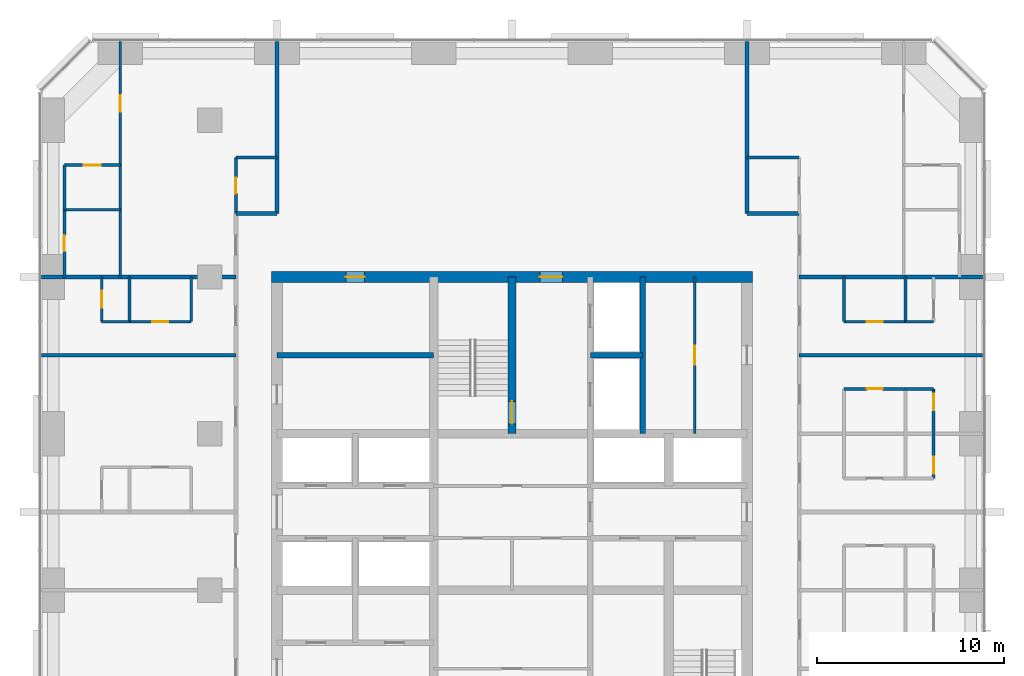
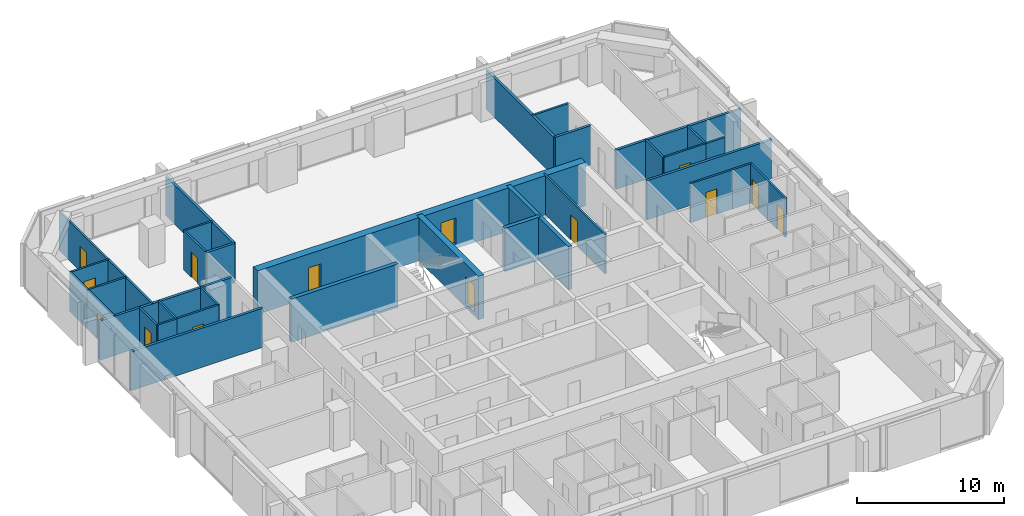
# One storey, part 12 of 14: 34 walls, 14 doors, 14 openings.
"""IFC4 building model written with IfcOpenShell, lengths in metres."""

from ifc_helpers import new_model, si_unit, direction, frame, frame_2d, origin, place, context, subcontext, project, spatial, rectangle, extrude, material, layer, layer_set, type_object, element, fill, save


model = new_model("IFC4")

# Units and contexts
model_context = context("Model", 3, precision=1e-05, world=origin(), true_north=direction((0.0, 1.0)))
body_context = subcontext(model_context, "Body", "Model", "MODEL_VIEW")
ifc_project = project(units=[si_unit("LENGTHUNIT", "METRE"), si_unit("AREAUNIT", "SQUARE_METRE"), si_unit("VOLUMEUNIT", "CUBIC_METRE"), si_unit("PLANEANGLEUNIT", "RADIAN"), si_unit("MASSUNIT", "GRAM", prefix="KILO")], contexts=[model_context])

# Site, building, storey
site_placement = place(None, origin())
site = spatial("IfcSite", under=ifc_project, at=site_placement, CompositionType="ELEMENT")
building_placement = place(site_placement, origin())
building = spatial("IfcBuilding", under=site, at=building_placement, Name="Dunama Terrace Hotel", CompositionType="ELEMENT")
storey_placement = place(building_placement, frame((0.0, 0.0, 184.199951171875)))
storey = spatial("IfcBuildingStorey", under=building, at=storey_placement, Name="L47", CompositionType="ELEMENT", Elevation=184.199951171875)

# Wall, opening, door
ifc_material_1 = material(Name="Gypsum board partition", Category="masonry")
ifc_layer_1 = layer(ifc_material_1, 0.14990234375)
ifc_layer_set_1 = layer_set([ifc_layer_1], Name="Bathroom partition 150")
wall_type_1 = type_object("IfcWallType", Name="Bathroom partition 150", PredefinedType="PARTITIONING", material=ifc_layer_set_1)
wall_1_placement = place(storey_placement, frame((5.39990234375, 42.0, 0.0), z_axis=(0.0, 0.0, 1.0), x_axis=(0.0, 1.0, 0.0)))
wall_1 = element("IfcWall", 1, at=wall_1_placement, inside=storey, type_object=wall_type_1, Name="Bathroom partition 150 L47", PredefinedType="PARTITIONING", context=body_context, shape_type="SweptSolid", body=[
    extrude(rectangle(XDim=3.60009765625, YDim=0.14990234375, at=frame_2d((1.800048828125, 0.0))), origin(), (0.0, 0.0, 1.0), 3.25),
])
opening_1_placement = place(wall_1_placement, frame((1.375, 0.0, 0.0)))
opening_1 = element("IfcOpeningElement", 2, at=opening_1_placement, cuts=wall_1, Name="Opening L46-47-070", PredefinedType="OPENING", context=body_context, shape_type="SweptSolid", body=[
    extrude(rectangle(XDim=0.85009765625, YDim=2.10009765625, at=frame_2d((0.425048828125, 1.050048828125))), frame((0.0, 0.0849609375, 0.0), z_axis=(0.0, -1.0, 0.0), x_axis=(1.0, 0.0, 0.0)), (0.0, 0.0, 1.0), 0.169921875),
])
ifc_material_2 = material(Name="Timber door with steel frame", Category="steel")
door_type_1 = type_object("IfcDoorType", Name="Bathroom door 850", OperationType="SINGLE_SWING_LEFT", PredefinedType="DOOR", material=ifc_material_2)
door_1_placement = place(opening_1_placement, frame((0.85009765625, 0.0, 0.0), z_axis=(0.0, 0.0, 1.0), x_axis=(-1.0, 0.0, 0.0)))
door_1 = element("IfcDoor", 3, at=door_1_placement, inside=storey, type_object=door_type_1, Name="Door to en-suite bathroom L46-47-070, type D2", OperationType="SINGLE_SWING_RIGHT", OverallHeight=2.10009765625, OverallWidth=0.85009765625, PredefinedType="DOOR", context=body_context, shape_type="SweptSolid", body=[
    extrude(rectangle(XDim=0.85009765625, YDim=2.10009765625, at=frame_2d((0.425048828125, 1.050048828125))), frame((0.0, 0.025146484375, 0.0), z_axis=(0.0, -1.0, 0.0), x_axis=(1.0, 0.0, 0.0)), (0.0, 0.0, 1.0), 0.050048828125),
])
fill(opening_1, door_1)

# Wall
wall_2_placement = place(storey_placement, frame((12.199951171875, 39.60009765625, 0.0), z_axis=(0.0, 0.0, 1.0), x_axis=(0.0, 1.0, 0.0)))
element("IfcWall", 4, at=wall_2_placement, inside=storey, type_object=wall_type_1, Name="Bathroom partition 150 L47", PredefinedType="PARTITIONING", context=body_context, shape_type="SweptSolid", body=[
    extrude(rectangle(XDim=2.39990234375, YDim=0.14990234375, at=frame_2d((1.199951171875, 0.0))), origin(), (0.0, 0.0, 1.0), 3.25),
])

# Wall, opening, door
wall_3_placement = place(storey_placement, frame((14.60009765625, 45.39990234375, 0.0), z_axis=(0.0, 0.0, 1.0), x_axis=(0.0, 1.0, 0.0)))
wall_3 = element("IfcWall", 5, at=wall_3_placement, inside=storey, type_object=wall_type_1, Name="Bathroom partition 150 L47", PredefinedType="PARTITIONING", context=body_context, shape_type="SweptSolid", body=[
    extrude(rectangle(XDim=3.0, YDim=0.14990234375, at=frame_2d((1.5, 0.0))), origin(), (0.0, 0.0, 1.0), 3.25),
])
opening_2_placement = place(wall_3_placement, frame((1.074951171875, 0.0, 0.0)))
opening_2 = element("IfcOpeningElement", 6, at=opening_2_placement, cuts=wall_3, Name="Opening L46-47-068", PredefinedType="OPENING", context=body_context, shape_type="SweptSolid", body=[
    extrude(rectangle(XDim=0.85009765625, YDim=2.10009765625, at=frame_2d((0.425048828125, 1.050048828125))), frame((0.0, 0.0849609375, 0.0), z_axis=(0.0, -1.0, 0.0), x_axis=(1.0, 0.0, 0.0)), (0.0, 0.0, 1.0), 0.169921875),
])
door_2_placement = place(opening_2_placement, frame((0.85009765625, 0.0, 0.0), z_axis=(0.0, 0.0, 1.0), x_axis=(-1.0, 0.0, 0.0)))
door_2 = element("IfcDoor", 7, at=door_2_placement, inside=storey, type_object=door_type_1, Name="Door to powder room L46-47-068, type D2", OperationType="SINGLE_SWING_RIGHT", OverallHeight=2.10009765625, OverallWidth=0.85009765625, PredefinedType="DOOR", context=body_context, shape_type="SweptSolid", body=[
    extrude(rectangle(XDim=0.85009765625, YDim=2.10009765625, at=frame_2d((0.425048828125, 1.050048828125))), frame((0.0, 0.025146484375, 0.0), z_axis=(0.0, -1.0, 0.0), x_axis=(1.0, 0.0, 0.0)), (0.0, 0.0, 1.0), 0.050048828125),
])
fill(opening_2, door_2)

# Wall
wall_4_placement = place(storey_placement, frame((47.199951171875, 39.60009765625, 0.0), z_axis=(0.0, 0.0, 1.0), x_axis=(0.0, 1.0, 0.0)))
element("IfcWall", 8, at=wall_4_placement, inside=storey, type_object=wall_type_1, Name="Bathroom partition 150 L47", PredefinedType="PARTITIONING", context=body_context, shape_type="SweptSolid", body=[
    extrude(rectangle(XDim=2.39990234375, YDim=0.14990234375, at=frame_2d((1.199951171875, 0.0))), origin(), (0.0, 0.0, 1.0), 3.25),
])

# Wall, opening, door
wall_5_placement = place(storey_placement, frame((47.199951171875, 36.0, 0.0), z_axis=(0.0, 0.0, 1.0), x_axis=(1.0, 0.0, 0.0)))
wall_5 = element("IfcWall", 9, at=wall_5_placement, inside=storey, type_object=wall_type_1, Name="Bathroom partition 150 L47", PredefinedType="PARTITIONING", context=body_context, shape_type="SweptSolid", body=[
    extrude(rectangle(XDim=3.300048828125, YDim=0.14990234375, at=frame_2d((1.64990234375, 0.0))), origin(), (0.0, 0.0, 1.0), 3.25),
])
opening_3_placement = place(wall_5_placement, frame((1.22509765625, 0.0, 0.0)))
opening_3 = element("IfcOpeningElement", 10, at=opening_3_placement, cuts=wall_5, Name="Opening L46-47-037", PredefinedType="OPENING", context=body_context, shape_type="SweptSolid", body=[
    extrude(rectangle(XDim=0.85009765625, YDim=2.10009765625, at=frame_2d((0.425048828125, 1.050048828125))), frame((0.0, 0.0849609375, 0.0), z_axis=(0.0, -1.0, 0.0), x_axis=(1.0, 0.0, 0.0)), (0.0, 0.0, 1.0), 0.169921875),
])
door_3_placement = place(opening_3_placement, frame((0.85009765625, 0.0, 0.0), z_axis=(0.0, 0.0, 1.0), x_axis=(-1.0, 0.0, 0.0)))
door_3 = element("IfcDoor", 11, at=door_3_placement, inside=storey, type_object=door_type_1, Name="Door to en-suite bathroom L46-47-037, type D2", OperationType="SINGLE_SWING_LEFT", OverallHeight=2.10009765625, OverallWidth=0.85009765625, PredefinedType="DOOR", context=body_context, shape_type="SweptSolid", body=[
    extrude(rectangle(XDim=0.85009765625, YDim=2.10009765625, at=frame_2d((0.425048828125, 1.050048828125))), frame((0.0, 0.025146484375, 0.0), z_axis=(0.0, -1.0, 0.0), x_axis=(1.0, 0.0, 0.0)), (0.0, 0.0, 1.0), 0.050048828125),
])
fill(opening_3, door_3)

wall_6_placement = place(storey_placement, frame((8.89990234375, 39.60009765625, 0.0), z_axis=(0.0, 0.0, 1.0), x_axis=(1.0, 0.0, 0.0)))
wall_6 = element("IfcWall", 12, at=wall_6_placement, inside=storey, type_object=wall_type_1, Name="Bathroom partition 150 L47", PredefinedType="PARTITIONING", context=body_context, shape_type="SweptSolid", body=[
    extrude(rectangle(XDim=3.300048828125, YDim=0.14990234375, at=frame_2d((1.64990234375, 0.0))), origin(), (0.0, 0.0, 1.0), 3.25),
])
opening_4_placement = place(wall_6_placement, frame((1.22509765625, 0.0, 0.0)))
opening_4 = element("IfcOpeningElement", 13, at=opening_4_placement, cuts=wall_6, Name="Opening L46-47-050", PredefinedType="OPENING", context=body_context, shape_type="SweptSolid", body=[
    extrude(rectangle(XDim=0.85009765625, YDim=2.10009765625, at=frame_2d((0.425048828125, 1.050048828125))), frame((0.0, 0.0849609375, 0.0), z_axis=(0.0, -1.0, 0.0), x_axis=(1.0, 0.0, 0.0)), (0.0, 0.0, 1.0), 0.169921875),
])
door_4_placement = place(opening_4_placement, origin())
door_4 = element("IfcDoor", 14, at=door_4_placement, inside=storey, type_object=door_type_1, Name="Door to en-suite bathroom L46-47-050, type D2", OperationType="SINGLE_SWING_LEFT", OverallHeight=2.10009765625, OverallWidth=0.85009765625, PredefinedType="DOOR", context=body_context, shape_type="SweptSolid", body=[
    extrude(rectangle(XDim=0.85009765625, YDim=2.10009765625, at=frame_2d((0.425048828125, 1.050048828125))), frame((0.0, 0.02490234375, 0.0), z_axis=(0.0, -1.0, 0.0), x_axis=(1.0, 0.0, 0.0)), (0.0, 0.0, 1.0), 0.050048828125),
])
fill(opening_4, door_4)

wall_7_placement = place(storey_placement, frame((47.199951171875, 39.60009765625, 0.0), z_axis=(0.0, 0.0, 1.0), x_axis=(1.0, 0.0, 0.0)))
wall_7 = element("IfcWall", 15, at=wall_7_placement, inside=storey, type_object=wall_type_1, Name="Bathroom partition 150 L47", PredefinedType="PARTITIONING", context=body_context, shape_type="SweptSolid", body=[
    extrude(rectangle(XDim=3.300048828125, YDim=0.14990234375, at=frame_2d((1.64990234375, 0.0))), origin(), (0.0, 0.0, 1.0), 3.25),
])
opening_5_placement = place(wall_7_placement, frame((1.22509765625, 0.0, 0.0)))
opening_5 = element("IfcOpeningElement", 16, at=opening_5_placement, cuts=wall_7, Name="Opening L46-47-040", PredefinedType="OPENING", context=body_context, shape_type="SweptSolid", body=[
    extrude(rectangle(XDim=0.85009765625, YDim=2.10009765625, at=frame_2d((0.425048828125, 1.050048828125))), frame((0.0, 0.0849609375, 0.0), z_axis=(0.0, -1.0, 0.0), x_axis=(1.0, 0.0, 0.0)), (0.0, 0.0, 1.0), 0.169921875),
])
door_5_placement = place(opening_5_placement, origin())
door_5 = element("IfcDoor", 17, at=door_5_placement, inside=storey, type_object=door_type_1, Name="Door to en-suite bathroom L46-47-040, type D2", OperationType="SINGLE_SWING_RIGHT", OverallHeight=2.10009765625, OverallWidth=0.85009765625, PredefinedType="DOOR", context=body_context, shape_type="SweptSolid", body=[
    extrude(rectangle(XDim=0.85009765625, YDim=2.10009765625, at=frame_2d((0.425048828125, 1.050048828125))), frame((0.0, 0.02490234375, 0.0), z_axis=(0.0, -1.0, 0.0), x_axis=(1.0, 0.0, 0.0)), (0.0, 0.0, 1.0), 0.050048828125),
])
fill(opening_5, door_5)

# Walls
wall_8_placement = place(storey_placement, frame((14.60009765625, 48.39990234375, 0.0), z_axis=(0.0, 0.0, 1.0), x_axis=(1.0, 0.0, 0.0)))
element("IfcWall", 18, at=wall_8_placement, inside=storey, type_object=wall_type_1, Name="Bathroom partition 150 L47", PredefinedType="PARTITIONING", context=body_context, shape_type="SweptSolid", body=[
    extrude(rectangle(XDim=2.199951171875, YDim=0.14990234375, at=frame_2d((1.10009765625, 0.0))), origin(), (0.0, 0.0, 1.0), 3.25),
])
wall_9_placement = place(storey_placement, frame((42.0, 48.39990234375, 0.0), z_axis=(0.0, 0.0, 1.0), x_axis=(1.0, 0.0, 0.0)))
element("IfcWall", 19, at=wall_9_placement, inside=storey, type_object=wall_type_1, Name="Bathroom partition 150 L47", PredefinedType="PARTITIONING", context=body_context, shape_type="SweptSolid", body=[
    extrude(rectangle(XDim=2.800048828125, YDim=0.14990234375, at=frame_2d((1.39990234375, 0.0))), origin(), (0.0, 0.0, 1.0), 3.25),
])
ifc_material_3 = material(Name="Concrete C50/60", Category="concrete")
ifc_layer_2 = layer(ifc_material_3, 0.300048828125)
ifc_layer_set_2 = layer_set([ifc_layer_2], Name="Core inner wall 300")
wall_type_2 = type_object("IfcWallType", Name="Core inner wall 300", PredefinedType="SHEAR", material=ifc_layer_set_2)
for number, where, z_axis, x_axis, name in (
    (20, (36.39990234375, 33.60009765625, -0.349853515625), (0.0, 0.0, 1.0), (0.0, 1.0, 0.0), "Core inner wall 300 L47"),
    (21, (16.800048828125, 37.800048828125, -0.349853515625), (0.0, 0.0, 1.0), (1.0, 0.0, 0.0), "Core inner wall 300 L47"),
):
    element("IfcWall", number, at=place(storey_placement, frame(where, z_axis=z_axis, x_axis=x_axis)), inside=storey, type_object=wall_type_2, Name=name, PredefinedType="SHEAR", context=body_context, shape_type="SweptSolid", body=[
        extrude(rectangle(XDim=8.39990234375, YDim=0.300048828125, at=frame_2d((4.199951171875, 0.0))), origin(), (0.0, 0.0, 1.0), 3.599853515625),
    ])
wall_10_placement = place(storey_placement, frame((33.60009765625, 37.800048828125, -0.349853515625), z_axis=(0.0, 0.0, 1.0), x_axis=(1.0, 0.0, 0.0)))
element("IfcWall", 22, at=wall_10_placement, inside=storey, type_object=wall_type_2, Name="Core inner wall 300 L47", PredefinedType="SHEAR", context=body_context, shape_type="SweptSolid", body=[
    extrude(rectangle(XDim=2.7998046875, YDim=0.300048828125, at=frame_2d((1.39990234375, 0.0))), origin(), (0.0, 0.0, 1.0), 3.599853515625),
])

# Wall, opening, door
ifc_material_4 = material(Name="Concrete C50/60", Category="concrete")
ifc_layer_3 = layer(ifc_material_4, 0.449951171875)
ifc_layer_set_3 = layer_set([ifc_layer_3], Name="Core inner wall 450")
wall_type_3 = type_object("IfcWallType", Name="Core inner wall 450", PredefinedType="SHEAR", material=ifc_layer_set_3)
wall_11_placement = place(storey_placement, frame((29.39990234375, 33.60009765625, -0.349853515625), z_axis=(0.0, 0.0, 1.0), x_axis=(0.0, 1.0, 0.0)))
wall_11 = element("IfcWall", 23, at=wall_11_placement, inside=storey, type_object=wall_type_3, Name="Core inner wall 450 L47", PredefinedType="SHEAR", context=body_context, shape_type="SweptSolid", body=[
    extrude(rectangle(XDim=8.39990234375, YDim=0.449951171875, at=frame_2d((4.199951171875, 0.0))), origin(), (0.0, 0.0, 1.0), 3.599853515625),
])
opening_6_placement = place(wall_11_placement, frame((0.52490234375, 0.0, 0.35009765625)))
opening_6 = element("IfcOpeningElement", 24, at=opening_6_placement, cuts=wall_11, Name="Opening L46-47-001", PredefinedType="OPENING", context=body_context, shape_type="SweptSolid", body=[
    extrude(rectangle(XDim=1.199951171875, YDim=2.199951171875, at=frame_2d((0.60009765625, 1.10009765625))), frame((0.0, 0.23486328125, 0.0), z_axis=(0.0, -1.0, 0.0), x_axis=(1.0, 0.0, 0.0)), (0.0, 0.0, 1.0), 0.469970703125),
])
ifc_material_5 = material(Name="Timber door with steel frame", Category="steel")
door_type_2 = type_object("IfcDoorType", Name="Stair door 1200", OperationType="SINGLE_SWING_LEFT", PredefinedType="DOOR", material=ifc_material_5)
door_6_placement = place(opening_6_placement, origin())
door_6 = element("IfcDoor", 25, at=door_6_placement, inside=storey, type_object=door_type_2, Name="Stair door ST1 L46-47-001, type D5", OperationType="SINGLE_SWING_LEFT", OverallHeight=2.199951171875, OverallWidth=1.199951171875, PredefinedType="DOOR", context=body_context, shape_type="SweptSolid", body=[
    extrude(rectangle(XDim=1.199951171875, YDim=2.199951171875, at=frame_2d((0.60009765625, 1.10009765625))), frame((0.0, 0.02490234375, 0.0), z_axis=(0.0, -1.0, 0.0), x_axis=(1.0, 0.0, 0.0)), (0.0, 0.0, 1.0), 0.050048828125),
])
fill(opening_6, door_6)

# Wall, openings, doors
ifc_material_6 = material(Name="Concrete C50/60", Category="concrete")
ifc_layer_4 = layer(ifc_material_6, 0.60009765625)
ifc_layer_set_4 = layer_set([ifc_layer_4], Name="Core wall 600")
wall_type_4 = type_object("IfcWallType", Name="Core wall 600", PredefinedType="SHEAR", material=ifc_layer_set_4)
wall_12_placement = place(storey_placement, frame((42.300048828125, 42.0, -0.349853515625), z_axis=(0.0, 0.0, 1.0), x_axis=(-1.0, 0.0, 0.0)))
wall_12 = element("IfcWall", 26, at=wall_12_placement, inside=storey, type_object=wall_type_4, Name="Core wall north L47", PredefinedType="SHEAR", context=body_context, shape_type="SweptSolid", body=[
    extrude(rectangle(XDim=25.800048828125, YDim=0.60009765625, at=frame_2d((12.89990234375, 0.0))), origin(), (0.0, 0.0, 1.0), 3.599853515625),
])
opening_7_placement = place(wall_12_placement, frame((20.800048828125, 0.0, 0.35009765625)))
opening_7 = element("IfcOpeningElement", 27, at=opening_7_placement, cuts=wall_12, Name="Opening L46-47-079", PredefinedType="OPENING", context=body_context, shape_type="SweptSolid", body=[
    extrude(rectangle(XDim=1.0, YDim=2.10009765625, at=frame_2d((0.5, 1.050048828125))), frame((0.0, 0.31005859375, 0.0), z_axis=(0.0, -1.0, 0.0), x_axis=(1.0, 0.0, 0.0)), (0.0, 0.0, 1.0), 0.6201171875),
])
opening_8_placement = place(wall_12_placement, frame((10.199951171875, 0.0, 0.35009765625)))
opening_8 = element("IfcOpeningElement", 28, at=opening_8_placement, cuts=wall_12, Name="Opening L46-47-087", PredefinedType="OPENING", context=body_context, shape_type="SweptSolid", body=[
    extrude(rectangle(XDim=1.199951171875, YDim=2.199951171875, at=frame_2d((0.60009765625, 1.10009765625))), frame((0.0, 0.31005859375, 0.0), z_axis=(0.0, -1.0, 0.0), x_axis=(1.0, 0.0, 0.0)), (0.0, 0.0, 1.0), 0.6201171875),
])
ifc_material_7 = material(Name="Timber door with steel frame", Category="steel")
door_type_3 = type_object("IfcDoorType", Name="Firefighting lobby door 1200", OperationType="SINGLE_SWING_LEFT", PredefinedType="DOOR", material=ifc_material_7)
door_7_placement = place(opening_8_placement, origin())
door_7 = element("IfcDoor", 29, at=door_7_placement, inside=storey, type_object=door_type_3, Name="Door to firefighting lobby L46-47-087, type D4", OperationType="SINGLE_SWING_RIGHT", OverallHeight=2.199951171875, OverallWidth=1.199951171875, PredefinedType="DOOR", context=body_context, shape_type="SweptSolid", body=[
    extrude(rectangle(XDim=1.199951171875, YDim=2.199951171875, at=frame_2d((0.60009765625, 1.10009765625))), frame((0.0, 0.02490234375, 0.0), z_axis=(0.0, -1.0, 0.0), x_axis=(1.0, 0.0, 0.0)), (0.0, 0.0, 1.0), 0.050048828125),
])
fill(opening_8, door_7)
ifc_material_8 = material(Name="Timber door with steel frame", Category="steel")
door_type_4 = type_object("IfcDoorType", Name="Service door 1000", OperationType="SINGLE_SWING_LEFT", PredefinedType="DOOR", material=ifc_material_8)
door_8_placement = place(opening_7_placement, origin())
door_8 = element("IfcDoor", 30, at=door_8_placement, inside=storey, type_object=door_type_4, Name="Door to communications and riser room L46-47-079, type D7", OperationType="SINGLE_SWING_LEFT", OverallHeight=2.10009765625, OverallWidth=1.0, PredefinedType="DOOR", context=body_context, shape_type="SweptSolid", body=[
    extrude(rectangle(XDim=1.0, YDim=2.10009765625, at=frame_2d((0.5, 1.050048828125))), frame((0.0, 0.02490234375, 0.0), z_axis=(0.0, -1.0, 0.0), x_axis=(1.0, 0.0, 0.0)), (0.0, 0.0, 1.0), 0.050048828125),
])
fill(opening_7, door_8)

# Walls
ifc_material_9 = material(Name="Concrete blockwork", Category="masonry")
ifc_layer_5 = layer(ifc_material_9, 0.199951171875)
ifc_layer_set_5 = layer_set([ifc_layer_5], Name="Corridor partition 200")
wall_type_5 = type_object("IfcWallType", Name="Corridor partition 200", PredefinedType="PARTITIONING", material=ifc_layer_set_5)
wall_13_placement = place(storey_placement, frame((16.800048828125, 45.39990234375, 0.0), z_axis=(0.0, 0.0, 1.0), x_axis=(0.0, 1.0, 0.0)))
element("IfcWall", 31, at=wall_13_placement, inside=storey, type_object=wall_type_5, Name="Corridor partition 200 L47", PredefinedType="PARTITIONING", context=body_context, shape_type="SweptSolid", body=[
    extrude(rectangle(XDim=9.218017578125, YDim=0.199951171875, at=frame_2d((4.60888671875, 0.0))), origin(), (0.0, 0.0, 1.0), 3.25),
])
wall_14_placement = place(storey_placement, frame((14.60009765625, 45.39990234375, 0.0), z_axis=(0.0, 0.0, 1.0), x_axis=(1.0, 0.0, 0.0)))
element("IfcWall", 32, at=wall_14_placement, inside=storey, type_object=wall_type_5, Name="Corridor partition 200 L47", PredefinedType="PARTITIONING", context=body_context, shape_type="SweptSolid", body=[
    extrude(rectangle(XDim=2.199951171875, YDim=0.199951171875, at=frame_2d((1.10009765625, 0.0))), origin(), (0.0, 0.0, 1.0), 3.25),
])
wall_15_placement = place(storey_placement, frame((42.0, 45.39990234375, 0.0), z_axis=(0.0, 0.0, 1.0), x_axis=(1.0, 0.0, 0.0)))
element("IfcWall", 33, at=wall_15_placement, inside=storey, type_object=wall_type_5, Name="Corridor partition 200 L47", PredefinedType="PARTITIONING", context=body_context, shape_type="SweptSolid", body=[
    extrude(rectangle(XDim=2.800048828125, YDim=0.199951171875, at=frame_2d((1.39990234375, 0.0))), origin(), (0.0, 0.0, 1.0), 3.25),
])
wall_16_placement = place(storey_placement, frame((42.0, 54.617919921875, 0.0), z_axis=(0.0, 0.0, 1.0), x_axis=(0.0, -1.0, 0.0)))
element("IfcWall", 34, at=wall_16_placement, inside=storey, type_object=wall_type_5, Name="Corridor partition 200 L47", PredefinedType="PARTITIONING", context=body_context, shape_type="SweptSolid", body=[
    extrude(rectangle(XDim=9.218017578125, YDim=0.199951171875, at=frame_2d((4.60888671875, 0.0))), origin(), (0.0, 0.0, 1.0), 3.25),
])
ifc_material_10 = material(Name="Concrete blockwork", Category="masonry")
ifc_layer_6 = layer(ifc_material_10, 0.199951171875)
ifc_layer_set_6 = layer_set([ifc_layer_6], Name="Party wall 200")
wall_type_6 = type_object("IfcWallType", Name="Party wall 200", PredefinedType="PARTITIONING", material=ifc_layer_set_6)
wall_17_placement = place(storey_placement, frame((4.181884765625, 37.800048828125, 0.0), z_axis=(0.0, 0.0, 1.0), x_axis=(1.0, 0.0, 0.0)))
element("IfcWall", 35, at=wall_17_placement, inside=storey, type_object=wall_type_6, Name="Party wall 200 L47", PredefinedType="PARTITIONING", context=body_context, shape_type="SweptSolid", body=[
    extrude(rectangle(XDim=10.418212890625, YDim=0.199951171875, at=frame_2d((5.208984375, 0.0))), origin(), (0.0, 0.0, 1.0), 3.25),
])
wall_18_placement = place(storey_placement, frame((44.800048828125, 37.800048828125, 0.0), z_axis=(0.0, 0.0, 1.0), x_axis=(1.0, 0.0, 0.0)))
element("IfcWall", 36, at=wall_18_placement, inside=storey, type_object=wall_type_6, Name="Party wall 200 L47", PredefinedType="PARTITIONING", context=body_context, shape_type="SweptSolid", body=[
    extrude(rectangle(XDim=9.81787109375, YDim=0.199951171875, at=frame_2d((4.908935546875, 0.0))), origin(), (0.0, 0.0, 1.0), 3.25),
])
wall_19_placement = place(storey_placement, frame((4.181884765625, 42.0, 0.0), z_axis=(0.0, 0.0, 1.0), x_axis=(1.0, 0.0, 0.0)))
element("IfcWall", 37, at=wall_19_placement, inside=storey, type_object=wall_type_6, Name="Party wall 200 L47", PredefinedType="PARTITIONING", context=body_context, shape_type="SweptSolid", body=[
    extrude(rectangle(XDim=10.418212890625, YDim=0.199951171875, at=frame_2d((5.208984375, 0.0))), origin(), (0.0, 0.0, 1.0), 3.25),
])
wall_20_placement = place(storey_placement, frame((44.800048828125, 42.0, 0.0), z_axis=(0.0, 0.0, 1.0), x_axis=(1.0, 0.0, 0.0)))
element("IfcWall", 38, at=wall_20_placement, inside=storey, type_object=wall_type_6, Name="Party wall 200 L47", PredefinedType="PARTITIONING", context=body_context, shape_type="SweptSolid", body=[
    extrude(rectangle(XDim=9.81787109375, YDim=0.199951171875, at=frame_2d((4.908935546875, 0.0))), origin(), (0.0, 0.0, 1.0), 3.25),
])
ifc_material_11 = material(Name="Gypsum board partition", Category="masonry")
ifc_layer_7 = layer(ifc_material_11, 0.14990234375)
ifc_layer_set_7 = layer_set([ifc_layer_7], Name="Room partition 150")
wall_type_7 = type_object("IfcWallType", Name="Room partition 150", PredefinedType="PARTITIONING", material=ifc_layer_set_7)
wall_21_placement = place(storey_placement, frame((5.39990234375, 45.60009765625, 0.0), z_axis=(0.0, 0.0, 1.0), x_axis=(0.0, 1.0, 0.0)))
element("IfcWall", 39, at=wall_21_placement, inside=storey, type_object=wall_type_7, Name="Room partition 150 L47", PredefinedType="PARTITIONING", context=body_context, shape_type="SweptSolid", body=[
    extrude(rectangle(XDim=2.39990234375, YDim=0.14990234375, at=frame_2d((1.199951171875, 0.0))), origin(), (0.0, 0.0, 1.0), 3.25),
])

# Wall, opening, door
wall_22_placement = place(storey_placement, frame((7.39990234375, 39.60009765625, 0.0), z_axis=(0.0, 0.0, 1.0), x_axis=(0.0, 1.0, 0.0)))
wall_22 = element("IfcWall", 40, at=wall_22_placement, inside=storey, type_object=wall_type_7, Name="Room partition 150 L47", PredefinedType="PARTITIONING", context=body_context, shape_type="SweptSolid", body=[
    extrude(rectangle(XDim=2.39990234375, YDim=0.14990234375, at=frame_2d((1.199951171875, 0.0))), origin(), (0.0, 0.0, 1.0), 3.25),
])
opening_9_placement = place(wall_22_placement, frame((0.75, 0.0, 0.0)))
opening_9 = element("IfcOpeningElement", 41, at=opening_9_placement, cuts=wall_22, Name="Opening L46-47-051", PredefinedType="OPENING", context=body_context, shape_type="SweptSolid", body=[
    extrude(rectangle(XDim=0.89990234375, YDim=2.10009765625, at=frame_2d((0.449951171875, 1.050048828125))), frame((0.0, 0.0849609375, 0.0), z_axis=(0.0, -1.0, 0.0), x_axis=(1.0, 0.0, 0.0)), (0.0, 0.0, 1.0), 0.169921875),
])
ifc_material_12 = material(Name="Timber door with steel frame", Category="steel")
door_type_5 = type_object("IfcDoorType", Name="Suite internal door 900", OperationType="SINGLE_SWING_LEFT", PredefinedType="DOOR", material=ifc_material_12)
door_9_placement = place(opening_9_placement, frame((0.89990234375, 0.0, 0.0), z_axis=(0.0, 0.0, 1.0), x_axis=(-1.0, 0.0, 0.0)))
door_9 = element("IfcDoor", 42, at=door_9_placement, inside=storey, type_object=door_type_5, Name="Door to walk-in wardrobe L46-47-051, type D16", OperationType="SINGLE_SWING_RIGHT", OverallHeight=2.10009765625, OverallWidth=0.89990234375, PredefinedType="DOOR", context=body_context, shape_type="SweptSolid", body=[
    extrude(rectangle(XDim=0.89990234375, YDim=2.10009765625, at=frame_2d((0.449951171875, 1.050048828125))), frame((0.0, 0.025146484375, 0.0), z_axis=(0.0, -1.0, 0.0), x_axis=(1.0, 0.0, 0.0)), (0.0, 0.0, 1.0), 0.050048828125),
])
fill(opening_9, door_9)

wall_23_placement = place(storey_placement, frame((8.39990234375, 42.0, 0.0), z_axis=(0.0, 0.0, 1.0), x_axis=(0.0, 1.0, 0.0)))
wall_23 = element("IfcWall", 43, at=wall_23_placement, inside=storey, type_object=wall_type_7, Name="Room partition 150 L47", PredefinedType="PARTITIONING", context=body_context, shape_type="SweptSolid", body=[
    extrude(rectangle(XDim=12.617919921875, YDim=0.14990234375, at=frame_2d((6.30908203125, 0.0))), origin(), (0.0, 0.0, 1.0), 3.25),
])
opening_10_placement = place(wall_23_placement, frame((8.85009765625, 0.0, 0.0)))
opening_10 = element("IfcOpeningElement", 44, at=opening_10_placement, cuts=wall_23, Name="Opening L46-47-069", PredefinedType="OPENING", context=body_context, shape_type="SweptSolid", body=[
    extrude(rectangle(XDim=0.89990234375, YDim=2.10009765625, at=frame_2d((0.449951171875, 1.050048828125))), frame((0.0, 0.0849609375, 0.0), z_axis=(0.0, -1.0, 0.0), x_axis=(1.0, 0.0, 0.0)), (0.0, 0.0, 1.0), 0.169921875),
])
door_10_placement = place(opening_10_placement, origin())
door_10 = element("IfcDoor", 45, at=door_10_placement, inside=storey, type_object=door_type_5, Name="Door to corner suite bedroom L46-47-069, type D16", OperationType="SINGLE_SWING_RIGHT", OverallHeight=2.10009765625, OverallWidth=0.89990234375, PredefinedType="DOOR", context=body_context, shape_type="SweptSolid", body=[
    extrude(rectangle(XDim=0.89990234375, YDim=2.10009765625, at=frame_2d((0.449951171875, 1.050048828125))), frame((0.0, 0.02490234375, 0.0), z_axis=(0.0, -1.0, 0.0), x_axis=(1.0, 0.0, 0.0)), (0.0, 0.0, 1.0), 0.050048828125),
])
fill(opening_10, door_10)

# Wall
wall_24_placement = place(storey_placement, frame((8.89990234375, 39.60009765625, 0.0), z_axis=(0.0, 0.0, 1.0), x_axis=(0.0, 1.0, 0.0)))
element("IfcWall", 46, at=wall_24_placement, inside=storey, type_object=wall_type_7, Name="Room partition 150 L47", PredefinedType="PARTITIONING", context=body_context, shape_type="SweptSolid", body=[
    extrude(rectangle(XDim=2.39990234375, YDim=0.14990234375, at=frame_2d((1.199951171875, 0.0))), origin(), (0.0, 0.0, 1.0), 3.25),
])

# Wall, opening, door
wall_25_placement = place(storey_placement, frame((39.199951171875, 33.60009765625, 0.0), z_axis=(0.0, 0.0, 1.0), x_axis=(0.0, 1.0, 0.0)))
wall_25 = element("IfcWall", 47, at=wall_25_placement, inside=storey, type_object=wall_type_7, Name="Room partition 150 L47", PredefinedType="PARTITIONING", context=body_context, shape_type="SweptSolid", body=[
    extrude(rectangle(XDim=8.39990234375, YDim=0.14990234375, at=frame_2d((4.199951171875, 0.0))), origin(), (0.0, 0.0, 1.0), 3.25),
])
opening_11_placement = place(wall_25_placement, frame((3.699951171875, 0.0, 0.0)))
opening_11 = element("IfcOpeningElement", 48, at=opening_11_placement, cuts=wall_25, Name="Opening L46-47-089", PredefinedType="OPENING", context=body_context, shape_type="SweptSolid", body=[
    extrude(rectangle(XDim=1.0, YDim=2.10009765625, at=frame_2d((0.5, 1.050048828125))), frame((0.0, 0.0849609375, 0.0), z_axis=(0.0, -1.0, 0.0), x_axis=(1.0, 0.0, 0.0)), (0.0, 0.0, 1.0), 0.169921875),
])
door_11_placement = place(opening_11_placement, origin())
door_11 = element("IfcDoor", 49, at=door_11_placement, inside=storey, type_object=door_type_4, Name="Door to luggage store L46-47-089, type D7", OperationType="SINGLE_SWING_LEFT", OverallHeight=2.10009765625, OverallWidth=1.0, PredefinedType="DOOR", context=body_context, shape_type="SweptSolid", body=[
    extrude(rectangle(XDim=1.0, YDim=2.10009765625, at=frame_2d((0.5, 1.050048828125))), frame((0.0, 0.02490234375, 0.0), z_axis=(0.0, -1.0, 0.0), x_axis=(1.0, 0.0, 0.0)), (0.0, 0.0, 1.0), 0.050048828125),
])
fill(opening_11, door_11)

# Wall
wall_26_placement = place(storey_placement, frame((50.5, 39.60009765625, 0.0), z_axis=(0.0, 0.0, 1.0), x_axis=(0.0, 1.0, 0.0)))
element("IfcWall", 50, at=wall_26_placement, inside=storey, type_object=wall_type_7, Name="Room partition 150 L47", PredefinedType="PARTITIONING", context=body_context, shape_type="SweptSolid", body=[
    extrude(rectangle(XDim=2.39990234375, YDim=0.14990234375, at=frame_2d((1.199951171875, 0.0))), origin(), (0.0, 0.0, 1.0), 3.25),
])

# Wall, openings, doors
wall_27_placement = place(storey_placement, frame((52.0, 31.199951171875, 0.0), z_axis=(0.0, 0.0, 1.0), x_axis=(0.0, 1.0, 0.0)))
wall_27 = element("IfcWall", 51, at=wall_27_placement, inside=storey, type_object=wall_type_7, Name="Room partition 150 L47", PredefinedType="PARTITIONING", context=body_context, shape_type="SweptSolid", body=[
    extrude(rectangle(XDim=4.800048828125, YDim=0.14990234375, at=frame_2d((2.39990234375, 0.0))), origin(), (0.0, 0.0, 1.0), 3.25),
])
opening_12_placement = place(wall_27_placement, frame((0.25, 0.0, 0.0)))
opening_12 = element("IfcOpeningElement", 52, at=opening_12_placement, cuts=wall_27, Name="Opening L46-47-035", PredefinedType="OPENING", context=body_context, shape_type="SweptSolid", body=[
    extrude(rectangle(XDim=0.89990234375, YDim=2.10009765625, at=frame_2d((0.449951171875, 1.050048828125))), frame((0.0, 0.0849609375, 0.0), z_axis=(0.0, -1.0, 0.0), x_axis=(1.0, 0.0, 0.0)), (0.0, 0.0, 1.0), 0.169921875),
])
opening_13_placement = place(wall_27_placement, frame((3.64990234375, 0.0, 0.0)))
opening_13 = element("IfcOpeningElement", 53, at=opening_13_placement, cuts=wall_27, Name="Opening L46-47-038", PredefinedType="OPENING", context=body_context, shape_type="SweptSolid", body=[
    extrude(rectangle(XDim=0.89990234375, YDim=2.10009765625, at=frame_2d((0.449951171875, 1.050048828125))), frame((0.0, 0.0849609375, 0.0), z_axis=(0.0, -1.0, 0.0), x_axis=(1.0, 0.0, 0.0)), (0.0, 0.0, 1.0), 0.169921875),
])
door_12_placement = place(opening_12_placement, origin())
door_12 = element("IfcDoor", 54, at=door_12_placement, inside=storey, type_object=door_type_5, Name="Door to walk-in wardrobe L46-47-035, type D16", OperationType="SINGLE_SWING_LEFT", OverallHeight=2.10009765625, OverallWidth=0.89990234375, PredefinedType="DOOR", context=body_context, shape_type="SweptSolid", body=[
    extrude(rectangle(XDim=0.89990234375, YDim=2.10009765625, at=frame_2d((0.449951171875, 1.050048828125))), frame((0.0, 0.02490234375, 0.0), z_axis=(0.0, -1.0, 0.0), x_axis=(1.0, 0.0, 0.0)), (0.0, 0.0, 1.0), 0.050048828125),
])
fill(opening_12, door_12)
door_13_placement = place(opening_13_placement, origin())
door_13 = element("IfcDoor", 55, at=door_13_placement, inside=storey, type_object=door_type_5, Name="Door to walk-in wardrobe L46-47-038, type D16", OperationType="SINGLE_SWING_RIGHT", OverallHeight=2.10009765625, OverallWidth=0.89990234375, PredefinedType="DOOR", context=body_context, shape_type="SweptSolid", body=[
    extrude(rectangle(XDim=0.89990234375, YDim=2.10009765625, at=frame_2d((0.449951171875, 1.050048828125))), frame((0.0, 0.02490234375, 0.0), z_axis=(0.0, -1.0, 0.0), x_axis=(1.0, 0.0, 0.0)), (0.0, 0.0, 1.0), 0.050048828125),
])
fill(opening_13, door_13)

# Walls
for number, where, z_axis, x_axis, name in (
    (56, (50.5, 36.0, 0.0), (0.0, 0.0, 1.0), (1.0, 0.0, 0.0), "Room partition 150 L47"),
    (57, (7.39990234375, 39.60009765625, 0.0), (0.0, 0.0, 1.0), (1.0, 0.0, 0.0), "Room partition 150 L47"),
    (58, (50.5, 39.60009765625, 0.0), (0.0, 0.0, 1.0), (1.0, 0.0, 0.0), "Room partition 150 L47"),
):
    element("IfcWall", number, at=place(storey_placement, frame(where, z_axis=z_axis, x_axis=x_axis)), inside=storey, type_object=wall_type_7, Name=name, PredefinedType="PARTITIONING", context=body_context, shape_type="SweptSolid", body=[
        extrude(rectangle(XDim=1.5, YDim=0.14990234375, at=frame_2d((0.75, 0.0))), origin(), (0.0, 0.0, 1.0), 3.25),
    ])
wall_28_placement = place(storey_placement, frame((5.39990234375, 45.60009765625, 0.0), z_axis=(0.0, 0.0, 1.0), x_axis=(1.0, 0.0, 0.0)))
element("IfcWall", 59, at=wall_28_placement, inside=storey, type_object=wall_type_7, Name="Room partition 150 L47", PredefinedType="PARTITIONING", context=body_context, shape_type="SweptSolid", body=[
    extrude(rectangle(XDim=3.0, YDim=0.14990234375, at=frame_2d((1.5, 0.0))), origin(), (0.0, 0.0, 1.0), 3.25),
])

# Wall, opening, door
wall_29_placement = place(storey_placement, frame((5.39990234375, 48.0, 0.0), z_axis=(0.0, 0.0, 1.0), x_axis=(1.0, 0.0, 0.0)))
wall_29 = element("IfcWall", 60, at=wall_29_placement, inside=storey, type_object=wall_type_7, Name="Room partition 150 L47", PredefinedType="PARTITIONING", context=body_context, shape_type="SweptSolid", body=[
    extrude(rectangle(XDim=3.0, YDim=0.14990234375, at=frame_2d((1.5, 0.0))), origin(), (0.0, 0.0, 1.0), 3.25),
])
opening_14_placement = place(wall_29_placement, frame((1.050048828125, 0.0, 0.0)))
opening_14 = element("IfcOpeningElement", 61, at=opening_14_placement, cuts=wall_29, Name="Opening L46-47-071", PredefinedType="OPENING", context=body_context, shape_type="SweptSolid", body=[
    extrude(rectangle(XDim=0.89990234375, YDim=2.10009765625, at=frame_2d((0.449951171875, 1.050048828125))), frame((0.0, 0.0849609375, 0.0), z_axis=(0.0, -1.0, 0.0), x_axis=(1.0, 0.0, 0.0)), (0.0, 0.0, 1.0), 0.169921875),
])
door_14_placement = place(opening_14_placement, frame((0.89990234375, 0.0, 0.0), z_axis=(0.0, 0.0, 1.0), x_axis=(-1.0, 0.0, 0.0)))
door_14 = element("IfcDoor", 62, at=door_14_placement, inside=storey, type_object=door_type_5, Name="Door to dressing room L46-47-071, type D16", OperationType="SINGLE_SWING_RIGHT", OverallHeight=2.10009765625, OverallWidth=0.89990234375, PredefinedType="DOOR", context=body_context, shape_type="SweptSolid", body=[
    extrude(rectangle(XDim=0.89990234375, YDim=2.10009765625, at=frame_2d((0.449951171875, 1.050048828125))), frame((0.0, 0.025146484375, 0.0), z_axis=(0.0, -1.0, 0.0), x_axis=(1.0, 0.0, 0.0)), (0.0, 0.0, 1.0), 0.050048828125),
])
fill(opening_14, door_14)

save(model, "model.ifc")
